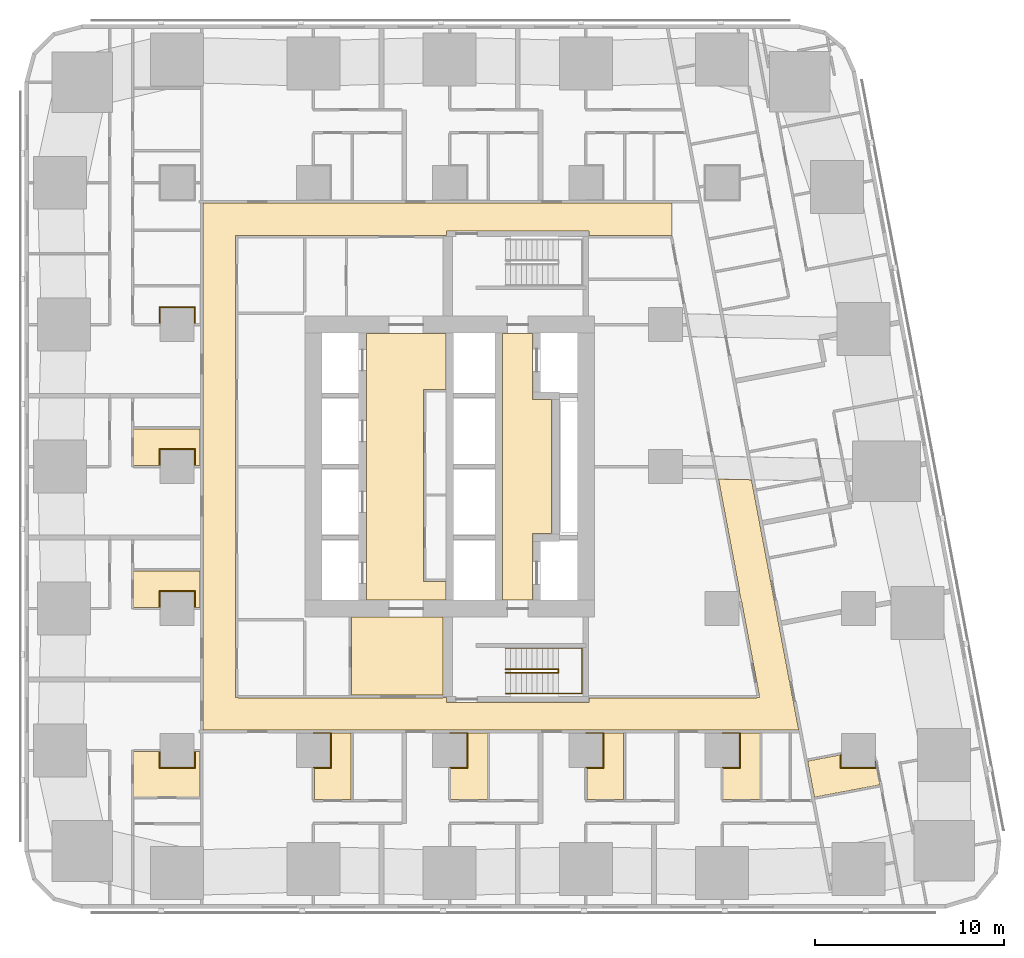
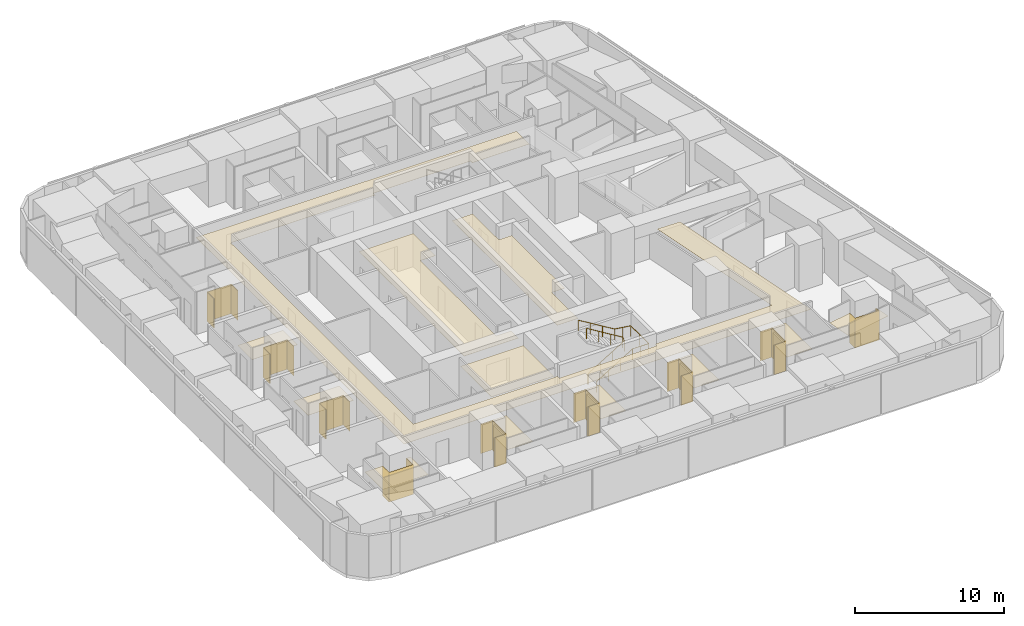
# One storey, part 13 of 15: 21 coverings, 2 railings.
"""IFC4 building model written with IfcOpenShell, lengths in metres."""

import ifcopenshell
import ifcopenshell.guid

model = None  # the IFC model being written
_history = None  # IfcOwnerHistory: only IFC2X3 demands one
_inside = {}  # id of a spatial element -> (the spatial element, [elements in it])
_under = {}  # id of a project, library or spatial element -> (it, [spatial elements below it])
_declared = {}  # id of a project -> (the project, [libraries it declares])
_typed = {}  # id of a type object -> (the type object, [elements of that type])
_made_of = {}  # id of a material, layer set ... -> (it, [elements and type objects made of it])


def new_model(schema):
    """Start an empty IFC model of exactly this schema.

    Asked for "IFC4X3", IfcOpenShell would pick the latest addendum, in which some entities
    have other attributes; the version numbers below select the first issue.
    IFC2X3 requires an IfcOwnerHistory on every rooted entity: one is made here for all.
    """
    global model, _history
    if schema == "IFC4X3":
        model = ifcopenshell.file(schema_version=(4, 3, 0, 0))
    else:
        model = ifcopenshell.file(schema=schema)
    _inside.clear()
    _under.clear()
    _declared.clear()
    _typed.clear()
    _made_of.clear()
    _history = None
    if model.schema == "IFC2X3":
        org = make("IfcOrganization", Name="unknown")
        user = make(
            "IfcPersonAndOrganization",
            ThePerson=make("IfcPerson", FamilyName="unknown"),
            TheOrganization=org,
        )
        app = make(
            "IfcApplication",
            ApplicationDeveloper=org,
            Version="unknown",
            ApplicationFullName="unknown",
            ApplicationIdentifier="unknown",
        )
        _history = make(
            "IfcOwnerHistory",
            OwningUser=user,
            OwningApplication=app,
            ChangeAction="ADDED",
            CreationDate=0,
        )
    return model


def make(cls, **values):
    """One entity of the class cls with the attributes given. An attribute that is None is left unset."""
    return model.create_entity(
        cls, **{name: value for name, value in values.items() if value is not None}
    )


def rooted(cls, **values):
    """An entity with a GlobalId (a new one), such as an element, a storey or a relation."""
    return make(cls, GlobalId=ifcopenshell.guid.new(), OwnerHistory=_history, **values)


def si_unit(unit_type, name, prefix=None):
    """IfcSIUnit, for example si_unit("LENGTHUNIT", "METRE", prefix="MILLI")."""
    return make("IfcSIUnit", UnitType=unit_type, Prefix=prefix, Name=name)


def assignment(units):
    """IfcUnitAssignment: the units of a project."""
    return None if units is None else make("IfcUnitAssignment", Units=units)


def point(xyz):
    """IfcCartesianPoint."""
    return None if xyz is None else make("IfcCartesianPoint", Coordinates=xyz)


def direction(xyz):
    """IfcDirection."""
    return None if xyz is None else make("IfcDirection", DirectionRatios=xyz)


def frame(location, z_axis=None, x_axis=None):
    """IfcAxis2Placement3D, a coordinate frame: its origin and axes. An axis left out is left unset."""
    return make(
        "IfcAxis2Placement3D",
        Location=point(location),
        Axis=direction(z_axis),
        RefDirection=direction(x_axis),
    )


def frame_2d(location, x_axis=None):
    """IfcAxis2Placement2D, a coordinate frame in the plane: its origin and x axis."""
    return make(
        "IfcAxis2Placement2D", Location=point(location), RefDirection=direction(x_axis)
    )


def origin():
    """The frame at (0, 0, 0) with its axes left unset."""
    return frame((0.0, 0.0, 0.0))


def origin_2d():
    """The frame at (0, 0) in the plane with its x axis left unset."""
    return frame_2d((0.0, 0.0))


def place(relative_to, where):
    """IfcLocalPlacement: puts the frame where relative to a parent placement (None: the world)."""
    return make(
        "IfcLocalPlacement", PlacementRelTo=relative_to, RelativePlacement=where
    )


def context(
    kind, dimensions, precision=None, world=None, true_north=None, identifier=None
):
    """IfcGeometricRepresentationContext, for example the 3D "Model" context."""
    return make(
        "IfcGeometricRepresentationContext",
        ContextIdentifier=identifier,
        ContextType=kind,
        CoordinateSpaceDimension=dimensions,
        Precision=precision,
        WorldCoordinateSystem=world,
        TrueNorth=true_north,
    )


def subcontext(parent, identifier, kind, view, scale=None):
    """IfcGeometricRepresentationSubContext, for example "Body" below "Model"."""
    return make(
        "IfcGeometricRepresentationSubContext",
        ContextIdentifier=identifier,
        ContextType=kind,
        ParentContext=parent,
        TargetScale=scale,
        TargetView=view,
    )


def project(units=None, contexts=None):
    """IfcProject with its units and contexts."""
    return rooted(
        "IfcProject",
        Name="project",
        RepresentationContexts=contexts,
        UnitsInContext=assignment(units),
    )


def spatial(cls, under=None, at=None, **own):
    """A site, building, storey or space (cls), placed at a placement, below another one or the project."""
    s = rooted(cls, ObjectPlacement=at, **own)
    if under is not None:
        _under.setdefault(under.id(), (under, []))[1].append(s)
    return s


def polyline(points):
    """IfcPolyline through the points."""
    return make("IfcPolyline", Points=[point(p) for p in points])


def profile(cls, at=None, kind="AREA", **sizes):
    """A parametric profile (cls). Its sizes go by their IFC names, for example OverallWidth=200.0."""
    return make(cls, ProfileType=kind, Position=at, **sizes)


def circle(**sizes):
    """IfcCircleProfileDef."""
    return profile("IfcCircleProfileDef", **sizes)


def outline(outer, holes=None, kind="AREA"):
    """IfcArbitraryClosedProfileDef: a profile drawn as a closed curve; with holes, ...WithVoids."""
    if holes is None:
        return make("IfcArbitraryClosedProfileDef", ProfileType=kind, OuterCurve=outer)
    return make(
        "IfcArbitraryProfileDefWithVoids",
        ProfileType=kind,
        OuterCurve=outer,
        InnerCurves=holes,
    )


def extrude(swept, where, along, depth):
    """IfcExtrudedAreaSolid: the profile swept, set in the frame where, extruded along a direction by depth."""
    return make(
        "IfcExtrudedAreaSolid",
        SweptArea=swept,
        Position=where,
        ExtrudedDirection=direction(along),
        Depth=depth,
    )


def shape(context_of_items, identifier, shape_type, items):
    """IfcShapeRepresentation: the items that make up one representation, for example the "Body"."""
    return make(
        "IfcShapeRepresentation",
        ContextOfItems=context_of_items,
        RepresentationIdentifier=identifier,
        RepresentationType=shape_type,
        Items=items,
    )


def material(Name=None, Category=None):
    """IfcMaterial."""
    return make("IfcMaterial", Name=Name, Category=Category)


def layer(
    of_material, thickness, ventilated=None, Name=None, Category=None, Priority=None
):
    """IfcMaterialLayer: one layer of a wall or slab, of a material (None: an air gap)."""
    return make(
        "IfcMaterialLayer",
        Material=of_material,
        LayerThickness=thickness,
        IsVentilated=ventilated,
        Name=Name,
        Category=Category,
        Priority=Priority,
    )


def layer_set(layers, Name=None):
    """IfcMaterialLayerSet."""
    return make("IfcMaterialLayerSet", MaterialLayers=layers, LayerSetName=Name)


def made_of(thing, what):
    """Note that an element or type object is made of a material, layer set ...; save() writes the relation."""
    if what is not None:
        _made_of.setdefault(what.id(), (what, []))[1].append(thing)
    return thing


def type_object(cls, material=None, **own):
    """A type object (cls), such as IfcWallType, which elements share."""
    return made_of(rooted(cls, **own), material)


def element(
    cls,
    number,
    at=None,
    inside=None,
    cuts=None,
    type_object=None,
    material=None,
    context=None,
    identifier="Body",
    shape_type=None,
    held_by="IfcProductDefinitionShape",
    body=None,
    shapes=None,
    **own,
):
    """One element of the class cls, such as IfcWall. Its Tag is "e" and its number.

    at: its placement. inside: the storey or other place that contains it. cuts: it is an
    opening in that element (IfcRelVoidsElement). A single representation is given by context,
    identifier, shape_type and body (its items); several are given by shapes. held_by: the class
    of the entity that holds the representations. save() writes the other relations.
    """
    e = rooted(cls, Tag="e%d" % number, ObjectPlacement=at, **own)
    if body is not None:
        shapes = [shape(context, identifier, shape_type, body)]
    if shapes is not None:
        e.Representation = make(held_by, Representations=shapes)
    if inside is not None:
        _inside.setdefault(inside.id(), (inside, []))[1].append(e)
    if cuts is not None:
        rooted(
            "IfcRelVoidsElement", RelatingBuildingElement=cuts, RelatedOpeningElement=e
        )
    if type_object is not None:
        _typed.setdefault(type_object.id(), (type_object, []))[1].append(e)
    return made_of(e, material)


def aggregate(whole, parts):
    """IfcRelAggregates: a whole, such as a stair, and the parts it consists of."""
    return rooted("IfcRelAggregates", RelatingObject=whole, RelatedObjects=parts)


def save(model, path):
    """Write the relations noted so far, then the file.

    IfcRelAggregates (storeys below a building ...), IfcRelContainedInSpatialStructure (elements
    in a storey), IfcRelDefinesByType, IfcRelAssociatesMaterial and IfcRelDeclares: one each for
    every whole, place, type object, material and project.
    """
    for whole, parts in _under.values():
        aggregate(whole, parts)
    for where, things in _inside.values():
        rooted(
            "IfcRelContainedInSpatialStructure",
            RelatedElements=things,
            RelatingStructure=where,
        )
    for kind, things in _typed.values():
        rooted("IfcRelDefinesByType", RelatedObjects=things, RelatingType=kind)
    for what, things in _made_of.values():
        rooted("IfcRelAssociatesMaterial", RelatedObjects=things, RelatingMaterial=what)
    for by, libraries in _declared.values():
        rooted("IfcRelDeclares", RelatingContext=by, RelatedDefinitions=libraries)
    model.write(path)


model = new_model("IFC4")

# Units and contexts
model_context = context("Model", 3, precision=1e-05, world=origin(), true_north=direction((0.0, 1.0)))
body_context = subcontext(model_context, "Body", "Model", "MODEL_VIEW")
ifc_project = project(units=[si_unit("LENGTHUNIT", "METRE"), si_unit("AREAUNIT", "SQUARE_METRE"), si_unit("VOLUMEUNIT", "CUBIC_METRE"), si_unit("PLANEANGLEUNIT", "RADIAN"), si_unit("MASSUNIT", "GRAM", prefix="KILO")], contexts=[model_context])

# Site, building, storey
site_placement = place(None, origin())
site = spatial("IfcSite", under=ifc_project, at=site_placement, CompositionType="ELEMENT")
building_placement = place(site_placement, origin())
building = spatial("IfcBuilding", under=site, at=building_placement, Name="Sheger Commons Tower", CompositionType="ELEMENT")
storey_placement = place(building_placement, frame((0.0, 0.0, 68.75)))
storey = spatial("IfcBuildingStorey", under=building, at=storey_placement, Name="L17", CompositionType="ELEMENT", Elevation=68.75)

# Railings
ifc_material_1 = material(Name="Steel handrail, black powder-coated", Category="steel")
railing_type = type_object("IfcRailingType", Name="HANDRAIL 900", PredefinedType="HANDRAIL", material=ifc_material_1)
railing_1_placement = place(storey_placement, frame((24.550048828125, 11.60009765625, 0.17041015625)))
element("IfcRailing", 1, at=railing_1_placement, inside=storey, type_object=railing_type, Name="Stair S1 handrail L17", PredefinedType="HANDRAIL", context=body_context, shape_type="SweptSolid", body=[
    extrude(circle(Radius=0.02392578125, at=origin_2d()), frame((0.0, 0.0, 0.8759765625), z_axis=(0.854169791009, 0.0, 0.51999420009), x_axis=(0.0, 1.0, 0.0)), (0.0, 0.0, 1.0), 3.278076171875),
    extrude(circle(Radius=0.02392578125, at=origin_2d()), frame((2.800048828125, 0.0, 2.58056640625), z_axis=(0.0, 0.761090297175, 0.648645943136), x_axis=(-1.0, 0.0, 0.0)), (0.0, 0.0, 1.0), 0.2626953125),
    extrude(circle(Radius=0.02392578125, at=origin_2d()), frame((2.800048828125, 0.199951171875, 2.7509765625), z_axis=(-0.854169791009, 0.0, 0.51999420009), x_axis=(0.0, -1.0, 0.0)), (0.0, 0.0, 1.0), 3.278076171875),
    extrude(circle(Radius=0.02099609375, at=origin_2d()), origin(), (0.0, 0.0, 1.0), 0.851806640625),
    extrude(circle(Radius=0.02099609375, at=origin_2d()), frame((0.933349609375, 0.0, 0.568115234375)), (0.0, 0.0, 1.0), 0.851806640625),
    extrude(circle(Radius=0.02099609375, at=origin_2d()), frame((1.86669921875, 0.0, 1.136474609375)), (0.0, 0.0, 1.0), 0.851806640625),
    extrude(circle(Radius=0.02099609375, at=origin_2d()), frame((2.800048828125, 0.0, 1.70458984375)), (0.0, 0.0, 1.0), 0.851806640625),
    extrude(circle(Radius=0.02099609375, at=origin_2d()), frame((2.800048828125, 0.199951171875, 1.875)), (0.0, 0.0, 1.0), 0.851806640625),
    extrude(circle(Radius=0.02099609375, at=origin_2d()), frame((1.86669921875, 0.199951171875, 2.443115234375)), (0.0, 0.0, 1.0), 0.851806640625),
    extrude(circle(Radius=0.02099609375, at=origin_2d()), frame((0.933349609375, 0.199951171875, 3.011474609375)), (0.0, 0.0, 1.0), 0.851806640625),
    extrude(circle(Radius=0.02099609375, at=origin_2d()), frame((0.0, 0.199951171875, 3.57958984375)), (0.0, 0.0, 1.0), 0.851806640625),
])
railing_2_placement = place(storey_placement, frame((24.550048828125, 10.5, 0.17041015625)))
element("IfcRailing", 2, at=railing_2_placement, inside=storey, type_object=railing_type, Name="Stair S1 handrail L17", PredefinedType="HANDRAIL", context=body_context, shape_type="SweptSolid", body=[
    extrude(circle(Radius=0.02392578125, at=origin_2d()), frame((0.0, 0.0, 0.8759765625), z_axis=(0.854169791009, 0.0, 0.51999420009), x_axis=(0.0, 1.0, 0.0)), (0.0, 0.0, 1.0), 3.278076171875),
    extrude(circle(Radius=0.02392578125, at=origin_2d()), frame((2.800048828125, 0.0, 2.58056640625), z_axis=(1.0, 0.0, 0.0), x_axis=(0.0, 1.0, 0.0)), (0.0, 0.0, 1.0), 1.25),
    extrude(circle(Radius=0.02392578125, at=origin_2d()), frame((4.050048828125, 0.0, 2.58056640625), z_axis=(0.0, 1.0, 0.0), x_axis=(-1.0, 0.0, 0.0)), (0.0, 0.0, 1.0), 2.39990234375),
    extrude(circle(Radius=0.02392578125, at=origin_2d()), frame((4.050048828125, 2.39990234375, 2.58056640625), z_axis=(-0.990834877927, 0.0, 0.135078661092), x_axis=(0.0, -1.0, 0.0)), (0.0, 0.0, 1.0), 1.261474609375),
    extrude(circle(Radius=0.02392578125, at=origin_2d()), frame((2.800048828125, 2.39990234375, 2.7509765625), z_axis=(-0.854169791009, 0.0, 0.51999420009), x_axis=(0.0, -1.0, 0.0)), (0.0, 0.0, 1.0), 3.278076171875),
    extrude(circle(Radius=0.02099609375, at=origin_2d()), origin(), (0.0, 0.0, 1.0), 0.851806640625),
    extrude(circle(Radius=0.02099609375, at=origin_2d()), frame((0.933349609375, 0.0, 0.568115234375)), (0.0, 0.0, 1.0), 0.851806640625),
    extrude(circle(Radius=0.02099609375, at=origin_2d()), frame((1.86669921875, 0.0, 1.136474609375)), (0.0, 0.0, 1.0), 0.851806640625),
    extrude(circle(Radius=0.02099609375, at=origin_2d()), frame((2.800048828125, 0.0, 1.70458984375)), (0.0, 0.0, 1.0), 0.851806640625),
    extrude(circle(Radius=0.02099609375, at=origin_2d()), frame((3.425048828125, 0.0, 1.70458984375)), (0.0, 0.0, 1.0), 0.851806640625),
    extrude(circle(Radius=0.02099609375, at=origin_2d()), frame((4.050048828125, 0.0, 1.70458984375)), (0.0, 0.0, 1.0), 0.851806640625),
    extrude(circle(Radius=0.02099609375, at=origin_2d()), frame((4.050048828125, 1.199951171875, 1.70458984375)), (0.0, 0.0, 1.0), 0.851806640625),
    extrude(circle(Radius=0.02099609375, at=origin_2d()), frame((4.050048828125, 2.39990234375, 1.70458984375)), (0.0, 0.0, 1.0), 0.851806640625),
    extrude(circle(Radius=0.02099609375, at=origin_2d()), frame((3.425048828125, 2.39990234375, 1.789794921875)), (0.0, 0.0, 1.0), 0.851806640625),
    extrude(circle(Radius=0.02099609375, at=origin_2d()), frame((2.800048828125, 2.39990234375, 1.875)), (0.0, 0.0, 1.0), 0.851806640625),
    extrude(circle(Radius=0.02099609375, at=origin_2d()), frame((1.86669921875, 2.39990234375, 2.443115234375)), (0.0, 0.0, 1.0), 0.851806640625),
    extrude(circle(Radius=0.02099609375, at=origin_2d()), frame((0.933349609375, 2.39990234375, 3.011474609375)), (0.0, 0.0, 1.0), 0.851806640625),
    extrude(circle(Radius=0.02099609375, at=origin_2d()), frame((0.0, 2.39990234375, 3.57958984375)), (0.0, 0.0, 1.0), 0.851806640625),
])

# Coverings
ifc_material_2 = material(Name="Moisture-resistant gypsum plasterboard 15 mm on a suspended galvanised steel grid", Category="steel")
ifc_layer_1 = layer(ifc_material_2, 0.014892578125)
ifc_layer_set_1 = layer_set([ifc_layer_1], Name="MOISTURE-RESISTANT CEILING 15")
covering_type_1 = type_object("IfcCoveringType", Name="MOISTURE-RESISTANT CEILING 15", PredefinedType="CEILING", material=ifc_layer_set_1)
covering_1_placement = place(storey_placement, frame((0.0, 0.0, 2.39990234375)))
element("IfcCovering", 3, at=covering_1_placement, inside=storey, type_object=covering_type_1, Name="L17-01.B1 ceiling", PredefinedType="CEILING", context=body_context, shape_type="SweptSolid", body=[
    extrude(outline(polyline([(4.905029296875, 5.053955078125), (8.419921875, 5.053955078125), (8.419921875, 7.445068359375), (8.10498046875, 7.445068359375), (8.10498046875, 6.594970703125), (6.294921875, 6.594970703125), (6.294921875, 7.445068359375), (4.905029296875, 7.445068359375), (4.905029296875, 5.053955078125)])), origin(), (0.0, 0.0, 1.0), 0.01513671875),
])
covering_2_placement = place(storey_placement, frame((0.0, 0.0, 2.39990234375)))
element("IfcCovering", 4, at=covering_2_placement, inside=storey, type_object=covering_type_1, Name="L17-02.B1 ceiling", PredefinedType="CEILING", context=body_context, shape_type="SweptSolid", body=[
    extrude(outline(polyline([(4.905029296875, 15.054931640625), (6.294921875, 15.054931640625), (6.294921875, 15.905029296875), (8.10498046875, 15.905029296875), (8.10498046875, 15.054931640625), (8.419921875, 15.054931640625), (8.419921875, 16.9951171875), (4.905029296875, 16.9951171875), (4.905029296875, 15.054931640625)])), origin(), (0.0, 0.0, 1.0), 0.01513671875),
])
covering_3_placement = place(storey_placement, frame((0.0, 0.0, 2.39990234375)))
element("IfcCovering", 5, at=covering_3_placement, inside=storey, type_object=covering_type_1, Name="L17-03.B1 ceiling", PredefinedType="CEILING", context=body_context, shape_type="SweptSolid", body=[
    extrude(outline(polyline([(4.905029296875, 22.554931640625), (6.294921875, 22.554931640625), (6.294921875, 23.405029296875), (8.10498046875, 23.405029296875), (8.10498046875, 22.554931640625), (8.419921875, 22.554931640625), (8.419921875, 24.4951171875), (4.905029296875, 24.4951171875), (4.905029296875, 22.554931640625)])), origin(), (0.0, 0.0, 1.0), 0.01513671875),
])
covering_4_placement = place(storey_placement, frame((0.0, 0.0, 2.39990234375)))
element("IfcCovering", 6, at=covering_4_placement, inside=storey, type_object=covering_type_1, Name="L17-05.B1 ceiling", PredefinedType="CEILING", context=body_context, shape_type="SweptSolid", body=[
    extrude(outline(polyline([(14.455078125, 4.905029296875), (16.39501953125, 4.905029296875), (16.39501953125, 8.419921875), (14.39990234375, 8.419921875), (14.39990234375, 8.405029296875), (15.304931640625, 8.405029296875), (15.304931640625, 6.594970703125), (14.455078125, 6.594970703125), (14.455078125, 4.905029296875)])), origin(), (0.0, 0.0, 1.0), 0.01513671875),
])
covering_5_placement = place(storey_placement, frame((0.0, 0.0, 2.39990234375)))
element("IfcCovering", 7, at=covering_5_placement, inside=storey, type_object=covering_type_1, Name="L17-06.B1 ceiling", PredefinedType="CEILING", context=body_context, shape_type="SweptSolid", body=[
    extrude(outline(polyline([(21.655029296875, 4.905029296875), (23.594970703125, 4.905029296875), (23.594970703125, 8.419921875), (21.60009765625, 8.419921875), (21.60009765625, 8.405029296875), (22.5048828125, 8.405029296875), (22.5048828125, 6.594970703125), (21.655029296875, 6.594970703125), (21.655029296875, 4.905029296875)])), origin(), (0.0, 0.0, 1.0), 0.01513671875),
])
covering_6_placement = place(storey_placement, frame((0.0, 0.0, 2.39990234375)))
element("IfcCovering", 8, at=covering_6_placement, inside=storey, type_object=covering_type_1, Name="L17-07.B1 ceiling", PredefinedType="CEILING", context=body_context, shape_type="SweptSolid", body=[
    extrude(outline(polyline([(28.85498046875, 4.905029296875), (30.794921875, 4.905029296875), (30.794921875, 8.419921875), (28.800048828125, 8.419921875), (28.800048828125, 8.405029296875), (29.705078125, 8.405029296875), (29.705078125, 6.594970703125), (28.85498046875, 6.594970703125), (28.85498046875, 4.905029296875)])), origin(), (0.0, 0.0, 1.0), 0.01513671875),
])
covering_7_placement = place(storey_placement, frame((0.0, 0.0, 2.39990234375)))
element("IfcCovering", 9, at=covering_7_placement, inside=storey, type_object=covering_type_1, Name="L17-08.B1 ceiling", PredefinedType="CEILING", context=body_context, shape_type="SweptSolid", body=[
    extrude(outline(polyline([(36.054931640625, 4.905029296875), (37.9951171875, 4.905029296875), (37.9951171875, 8.419921875), (36.0, 8.419921875), (36.0, 8.405029296875), (36.905029296875, 8.405029296875), (36.905029296875, 6.594970703125), (36.054931640625, 6.594970703125), (36.054931640625, 4.905029296875)])), origin(), (0.0, 0.0, 1.0), 0.01513671875),
])
covering_8_placement = place(storey_placement, frame((0.0, 0.0, 2.39990234375)))
element("IfcCovering", 10, at=covering_8_placement, inside=storey, type_object=covering_type_1, Name="L17-12.B1 ceiling", PredefinedType="CEILING", context=body_context, shape_type="SweptSolid", body=[
    extrude(outline(polyline([(40.881103515625, 5.031982421875), (44.333984375, 5.68408203125), (44.10693359375, 6.885009765625), (44.10498046875, 6.885009765625), (44.10498046875, 6.594970703125), (42.294921875, 6.594970703125), (42.294921875, 7.27294921875), (40.52099609375, 6.93798828125), (40.881103515625, 5.031982421875)])), origin(), (0.0, 0.0, 1.0), 0.01513671875),
])
ifc_material_3 = material(Name="Gypsum plasterboard 15 mm on a suspended steel grid", Category="steel")
ifc_layer_2 = layer(ifc_material_3, 0.014892578125)
ifc_layer_set_2 = layer_set([ifc_layer_2], Name="SUSPENDED CEILING 15")
covering_type_2 = type_object("IfcCoveringType", Name="SUSPENDED CEILING 15", PredefinedType="CEILING", material=ifc_layer_set_2)
covering_9_placement = place(storey_placement, frame((0.0, 0.0, 2.699951171875)))
element("IfcCovering", 11, at=covering_9_placement, inside=storey, type_object=covering_type_2, Name="L17-CO ceiling", PredefinedType="CEILING", context=body_context, shape_type="SweptSolid", body=[
    extrude(outline(polyline([(8.580078125, 8.580078125), (40.048095703125, 8.580078125), (37.551025390625, 21.802978515625), (35.81103515625, 21.837890625), (36.927978515625, 15.9208984375), (36.910888671875, 15.9169921875), (37.010009765625, 15.39501953125), (37.027099609375, 15.39794921875), (37.967041015625, 10.4208984375), (37.949951171875, 10.4169921875), (37.971923828125, 10.300048828125), (37.841064453125, 10.300048828125), (37.841064453125, 10.281982421875), (28.955078125, 10.281982421875), (28.955078125, 10.044921875), (21.445068359375, 10.044921875), (21.445068359375, 10.300048828125), (21.2548828125, 10.300048828125), (21.2548828125, 10.281982421875), (10.407958984375, 10.281982421875), (10.407958984375, 10.294921875), (10.281982421875, 10.294921875), (10.281982421875, 34.705078125), (10.407958984375, 34.705078125), (10.407958984375, 34.718017578125), (21.2548828125, 34.718017578125), (21.2548828125, 34.699951171875), (21.445068359375, 34.699951171875), (21.445068359375, 34.955078125), (28.955078125, 34.955078125), (28.955078125, 34.718017578125), (33.3359375, 34.718017578125), (33.3359375, 34.699951171875), (33.361083984375, 34.699951171875), (33.361083984375, 36.419921875), (8.580078125, 36.419921875), (8.580078125, 8.580078125)])), origin(), (0.0, 0.0, 1.0), 0.01513671875),
])
covering_10_placement = place(storey_placement, frame((0.0, 0.0, 2.699951171875)))
element("IfcCovering", 12, at=covering_10_placement, inside=storey, type_object=covering_type_2, Name="L17-SVS1 ceiling", PredefinedType="CEILING", context=body_context, shape_type="SweptSolid", body=[
    extrude(outline(polyline([(16.406982421875, 10.41796875), (21.2451171875, 10.41796875), (21.2451171875, 14.544921875), (16.406982421875, 14.544921875), (16.406982421875, 10.41796875)])), origin(), (0.0, 0.0, 1.0), 0.01513671875),
])
covering_11_placement = place(storey_placement, frame((0.0, 0.0, 2.699951171875)))
element("IfcCovering", 13, at=covering_11_placement, inside=storey, type_object=covering_type_2, Name="L17-LL ceiling", PredefinedType="CEILING", context=body_context, shape_type="SweptSolid", body=[
    extrude(outline(polyline([(17.205078125, 15.455078125), (21.39990234375, 15.455078125), (21.39990234375, 16.43310546875), (20.35791015625, 16.43310546875), (20.23291015625, 16.43310546875), (20.23291015625, 26.56689453125), (20.35791015625, 26.56689453125), (21.39990234375, 26.56689453125), (21.39990234375, 29.544921875), (17.205078125, 29.544921875), (17.205078125, 15.455078125)])), origin(), (0.0, 0.0, 1.0), 0.01513671875),
])
covering_12_placement = place(storey_placement, frame((0.0, 0.0, 2.699951171875)))
element("IfcCovering", 14, at=covering_12_placement, inside=storey, type_object=covering_type_2, Name="L17-FL ceiling", PredefinedType="CEILING", context=body_context, shape_type="SweptSolid", body=[
    extrude(outline(polyline([(24.405029296875, 15.455078125), (25.9951171875, 15.455078125), (25.9951171875, 18.955078125), (26.9951171875, 18.955078125), (26.9951171875, 26.044921875), (25.9951171875, 26.044921875), (25.9951171875, 29.544921875), (24.405029296875, 29.544921875), (24.405029296875, 15.455078125)])), origin(), (0.0, 0.0, 1.0), 0.01513671875),
])
ifc_material_4 = material(Name="Moisture-resistant gypsum board 12.5 mm on 25 mm treated timber battens, tanked and tiled", Category="wood")
ifc_layer_3 = layer(ifc_material_4, 0.050048828125)
ifc_layer_set_3 = layer_set([ifc_layer_3], Name="WET-ROOM COLUMN LINING")
covering_type_3 = type_object("IfcCoveringType", Name="WET-ROOM COLUMN LINING", PredefinedType="CLADDING", material=ifc_layer_set_3)
covering_13_placement = place(storey_placement, origin())
element("IfcCovering", 15, at=covering_13_placement, inside=storey, type_object=covering_type_3, Name="Bathroom column lining C8 L17", PredefinedType="CLADDING", context=body_context, shape_type="SweptSolid", body=[
    extrude(outline(polyline([(6.300048828125, 7.5), (6.300048828125, 6.60009765625), (8.10009765625, 6.60009765625), (8.10009765625, 7.5), (8.10107421875, 7.5), (8.10107421875, 7.449951171875), (8.14990234375, 7.449951171875), (8.14990234375, 6.550048828125), (6.25, 6.550048828125), (6.25, 7.449951171875), (6.299072265625, 7.449951171875), (6.299072265625, 7.5), (6.300048828125, 7.5)])), origin(), (0.0, 0.0, 1.0), 2.39990234375),
])
covering_14_placement = place(storey_placement, origin())
element("IfcCovering", 16, at=covering_14_placement, inside=storey, type_object=covering_type_3, Name="Bathroom column lining C8 L17", PredefinedType="CLADDING", context=body_context, shape_type="SweptSolid", body=[
    extrude(outline(polyline([(15.35009765625, 6.550048828125), (14.449951171875, 6.550048828125), (14.449951171875, 6.59912109375), (14.39990234375, 6.59912109375), (14.39990234375, 6.60009765625), (15.300048828125, 6.60009765625), (15.300048828125, 8.39990234375), (14.39990234375, 8.39990234375), (14.39990234375, 8.425048828125), (15.35009765625, 8.425048828125), (15.35009765625, 6.550048828125)])), origin(), (0.0, 0.0, 1.0), 2.39990234375),
])
covering_15_placement = place(storey_placement, origin())
element("IfcCovering", 17, at=covering_15_placement, inside=storey, type_object=covering_type_3, Name="Bathroom column lining C8 L17", PredefinedType="CLADDING", context=body_context, shape_type="SweptSolid", body=[
    extrude(outline(polyline([(22.550048828125, 6.550048828125), (21.64990234375, 6.550048828125), (21.64990234375, 6.59912109375), (21.60009765625, 6.59912109375), (21.60009765625, 6.60009765625), (22.5, 6.60009765625), (22.5, 8.39990234375), (21.60009765625, 8.39990234375), (21.60009765625, 8.425048828125), (22.550048828125, 8.425048828125), (22.550048828125, 6.550048828125)])), origin(), (0.0, 0.0, 1.0), 2.39990234375),
])
covering_16_placement = place(storey_placement, origin())
element("IfcCovering", 18, at=covering_16_placement, inside=storey, type_object=covering_type_3, Name="Bathroom column lining C8 L17", PredefinedType="CLADDING", context=body_context, shape_type="SweptSolid", body=[
    extrude(outline(polyline([(29.75, 6.550048828125), (28.85009765625, 6.550048828125), (28.85009765625, 6.59912109375), (28.800048828125, 6.59912109375), (28.800048828125, 6.60009765625), (29.699951171875, 6.60009765625), (29.699951171875, 8.39990234375), (28.800048828125, 8.39990234375), (28.800048828125, 8.425048828125), (29.75, 8.425048828125), (29.75, 6.550048828125)])), origin(), (0.0, 0.0, 1.0), 2.39990234375),
])
covering_17_placement = place(storey_placement, origin())
element("IfcCovering", 19, at=covering_17_placement, inside=storey, type_object=covering_type_3, Name="Bathroom column lining C8 L17", PredefinedType="CLADDING", context=body_context, shape_type="SweptSolid", body=[
    extrude(outline(polyline([(36.949951171875, 6.550048828125), (36.050048828125, 6.550048828125), (36.050048828125, 6.59912109375), (36.0, 6.59912109375), (36.0, 6.60009765625), (36.89990234375, 6.60009765625), (36.89990234375, 8.39990234375), (36.0, 8.39990234375), (36.0, 8.425048828125), (36.949951171875, 8.425048828125), (36.949951171875, 6.550048828125)])), origin(), (0.0, 0.0, 1.0), 2.39990234375),
])
covering_18_placement = place(storey_placement, origin())
element("IfcCovering", 20, at=covering_18_placement, inside=storey, type_object=covering_type_3, Name="Bathroom column lining C8 L17", PredefinedType="CLADDING", context=body_context, shape_type="SweptSolid", body=[
    extrude(outline(polyline([(42.300048828125, 7.3310546875), (42.300048828125, 6.60009765625), (44.10009765625, 6.60009765625), (44.10009765625, 6.949951171875), (44.14990234375, 6.68603515625), (44.14990234375, 6.550048828125), (42.25, 6.550048828125), (42.25, 7.27001953125), (42.299072265625, 7.279052734375), (42.2900390625, 7.3291015625), (42.300048828125, 7.3310546875)])), origin(), (0.0, 0.0, 1.0), 2.39990234375),
])
covering_19_placement = place(storey_placement, origin())
element("IfcCovering", 21, at=covering_19_placement, inside=storey, type_object=covering_type_3, Name="Bathroom column lining C8 L17", PredefinedType="CLADDING", context=body_context, shape_type="SweptSolid", body=[
    extrude(outline(polyline([(8.14990234375, 15.949951171875), (8.14990234375, 15.050048828125), (8.10107421875, 15.050048828125), (8.10107421875, 15.0), (8.10009765625, 15.0), (8.10009765625, 15.89990234375), (6.300048828125, 15.89990234375), (6.300048828125, 15.0), (6.299072265625, 15.0), (6.299072265625, 15.050048828125), (6.25, 15.050048828125), (6.25, 15.949951171875), (8.14990234375, 15.949951171875)])), origin(), (0.0, 0.0, 1.0), 2.39990234375),
])
covering_20_placement = place(storey_placement, origin())
element("IfcCovering", 22, at=covering_20_placement, inside=storey, type_object=covering_type_3, Name="Bathroom column lining C8 L17", PredefinedType="CLADDING", context=body_context, shape_type="SweptSolid", body=[
    extrude(outline(polyline([(8.14990234375, 23.449951171875), (8.14990234375, 22.550048828125), (8.10107421875, 22.550048828125), (8.10107421875, 22.5), (8.10009765625, 22.5), (8.10009765625, 23.39990234375), (6.300048828125, 23.39990234375), (6.300048828125, 22.5), (6.299072265625, 22.5), (6.299072265625, 22.550048828125), (6.25, 22.550048828125), (6.25, 23.449951171875), (8.14990234375, 23.449951171875)])), origin(), (0.0, 0.0, 1.0), 2.39990234375),
])
covering_21_placement = place(storey_placement, origin())
element("IfcCovering", 23, at=covering_21_placement, inside=storey, type_object=covering_type_3, Name="Bathroom column lining C8 L17", PredefinedType="CLADDING", context=body_context, shape_type="SweptSolid", body=[
    extrude(outline(polyline([(8.14990234375, 30.949951171875), (8.14990234375, 30.050048828125), (8.10107421875, 30.050048828125), (8.10107421875, 30.0), (8.10009765625, 30.0), (8.10009765625, 30.89990234375), (6.300048828125, 30.89990234375), (6.300048828125, 30.0), (6.299072265625, 30.0), (6.299072265625, 30.050048828125), (6.25, 30.050048828125), (6.25, 30.949951171875), (8.14990234375, 30.949951171875)])), origin(), (0.0, 0.0, 1.0), 2.39990234375),
])

save(model, "model.ifc")
